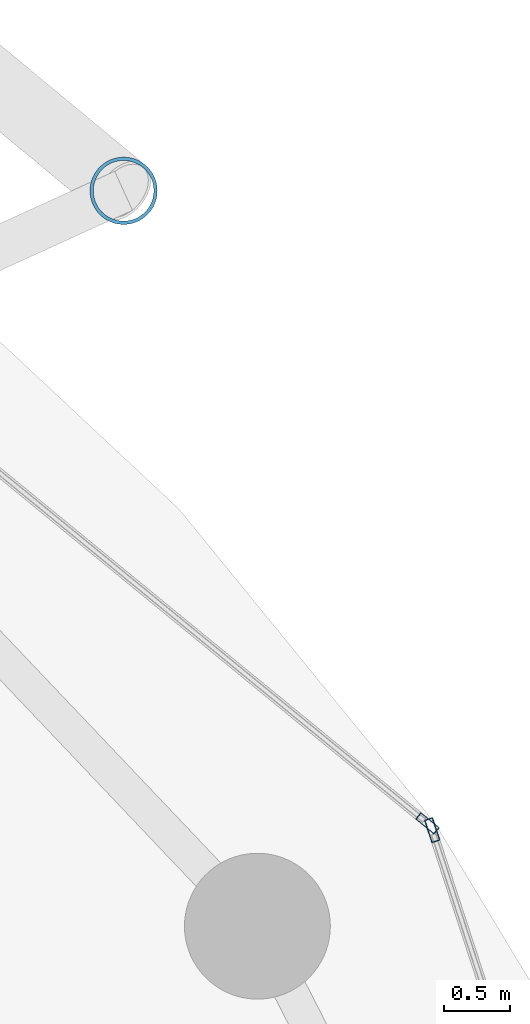
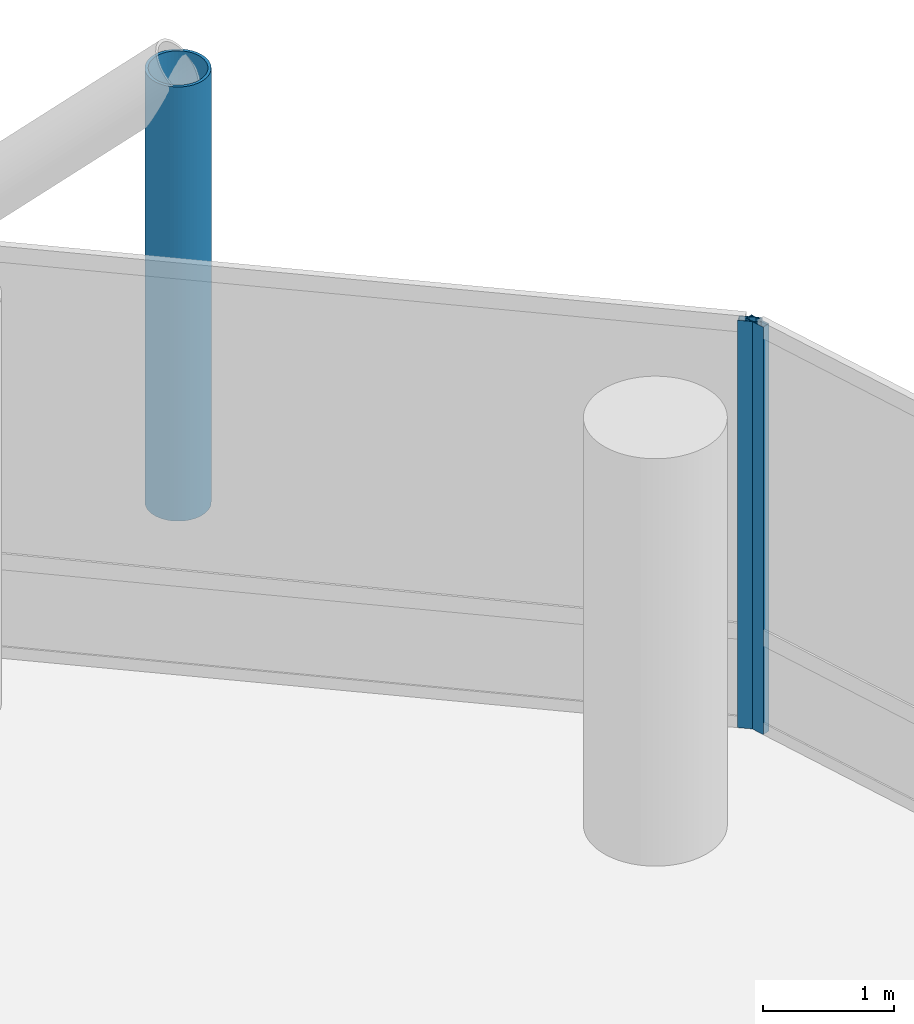
# One storey, part 19 of 24: 3 members, 2 elements without a shape of their own.
"""IFC4 building model written with IfcOpenShell, lengths in metres."""

from ifc_helpers import new_model, si_unit, direction, frame, origin, origin_2d, place, context, subcontext, project, spatial, hollow_rectangle, hollow_circle, extrude, material, layer, layer_set, material_profile, profile_set, type_object, element, aggregate, save


model = new_model("IFC4")

# Units and contexts
model_context = context("Model", 3, precision=1e-05, world=origin(), true_north=direction((0.0, 1.0)))
body_context = subcontext(model_context, "Body", "Model", "MODEL_VIEW")
ifc_project = project(units=[si_unit("LENGTHUNIT", "METRE"), si_unit("AREAUNIT", "SQUARE_METRE"), si_unit("VOLUMEUNIT", "CUBIC_METRE"), si_unit("PLANEANGLEUNIT", "RADIAN"), si_unit("MASSUNIT", "GRAM", prefix="KILO")], contexts=[model_context])

# Site, building, storey
site_placement = place(None, origin())
site = spatial("IfcSite", under=ifc_project, at=site_placement, CompositionType="ELEMENT")
building_placement = place(site_placement, origin())
building = spatial("IfcBuilding", under=site, at=building_placement, Name="Nuhasar Tower", CompositionType="ELEMENT")
storey_placement = place(building_placement, frame((0.0, 0.0, 85.800048828125)))
storey = spatial("IfcBuildingStorey", under=building, at=storey_placement, Name="L20", CompositionType="ELEMENT", Elevation=85.800048828125)

# Curtain wall, member
ifc_material_1 = material(Name="Aluminium 6063-T6", Category="aluminium")
ifc_layer = layer(ifc_material_1, 0.199951171875)
ifc_layer_set = layer_set([ifc_layer], Name="Aluminium 6063-T6")
curtain_wall_type = type_object("IfcCurtainWallType", Name="CW-Z1-OFF", PredefinedType="NOTDEFINED", material=ifc_layer_set)
curtain_wall_1_placement = place(storey_placement, origin())
curtain_wall_1 = element("IfcCurtainWall", 1, at=curtain_wall_1_placement, inside=storey, type_object=curtain_wall_type, Name="L20 Unitised Curtain Wall 01", PredefinedType="NOTDEFINED")
ifc_material_profile_1 = material_profile(ifc_material_1, hollow_rectangle(XDim=0.06494140625, YDim=0.179931640625, WallThickness=0.0048828125, at=origin_2d()), Name="CWM-2")
ifc_profile_set_1 = profile_set([ifc_material_profile_1], Name="Aluminium 6063-T6")
member_type_1 = type_object("IfcMemberType", Name="CW-MUL-S2", PredefinedType="MULLION", material=ifc_profile_set_1)
member_1_placement = place(storey_placement, frame((62.01220703125, 37.649169921875, 0.0), z_axis=(0.0, 0.0, 1.0), x_axis=(-0.950467534571, -0.310823849997, 0.0)))
member_1 = element("IfcMember", 2, at=member_1_placement, type_object=member_type_1, Name="CW-Z1 mullion 2", PredefinedType="MULLION", context=body_context, shape_type="SweptSolid", body=[
    extrude(hollow_rectangle(XDim=0.06494140625, YDim=0.179931640625, WallThickness=0.0048828125, at=origin_2d()), origin(), (0.0, 0.0, 1.0), 3.800048828125),
])
aggregate(curtain_wall_1, [member_1])

curtain_wall_2_placement = place(storey_placement, origin())
curtain_wall_2 = element("IfcCurtainWall", 3, at=curtain_wall_2_placement, inside=storey, type_object=curtain_wall_type, Name="L20 Unitised Curtain Wall 02", PredefinedType="NOTDEFINED")
member_2_placement = place(storey_placement, frame((61.976806640625, 37.70068359375, 0.0), z_axis=(0.0, 0.0, 1.0), x_axis=(-0.633744593376, -0.773542364946, 0.0)))
member_2 = element("IfcMember", 4, at=member_2_placement, type_object=member_type_1, Name="CW-Z1 mullion 1", PredefinedType="MULLION", context=body_context, shape_type="SweptSolid", body=[
    extrude(hollow_rectangle(XDim=0.06494140625, YDim=0.179931640625, WallThickness=0.0048828125, at=origin_2d()), origin(), (0.0, 0.0, 1.0), 3.800048828125),
])
aggregate(curtain_wall_2, [member_2])

# Member
ifc_material_2 = material(Name="Steel S460", Category="steel")
ifc_material_profile_2 = material_profile(ifc_material_2, hollow_circle(Radius=0.25390625, WallThickness=0.025390625, at=origin_2d()), Name="HSS508X25.4")
ifc_profile_set_2 = profile_set([ifc_material_profile_2], Name="Steel S460")
member_type_2 = type_object("IfcMemberType", Name="EXO-BRONZE-508", PredefinedType="BRACE", material=ifc_profile_set_2)
member_3_placement = place(storey_placement, frame((59.68505859375, 42.470947265625, 0.0), z_axis=(0.0, 0.0, 1.0), x_axis=(1.0, 0.0, 0.0)))
element("IfcMember", 5, at=member_3_placement, inside=storey, type_object=member_type_2, Name="L20 Exoskeleton Chord Column EC-02A", PredefinedType="BRACE", context=body_context, shape_type="SweptSolid", body=[
    extrude(hollow_circle(Radius=0.25390625, WallThickness=0.025390625, at=origin_2d()), origin(), (0.0, 0.0, 1.0), 4.050048828125),
])

save(model, "model.ifc")
